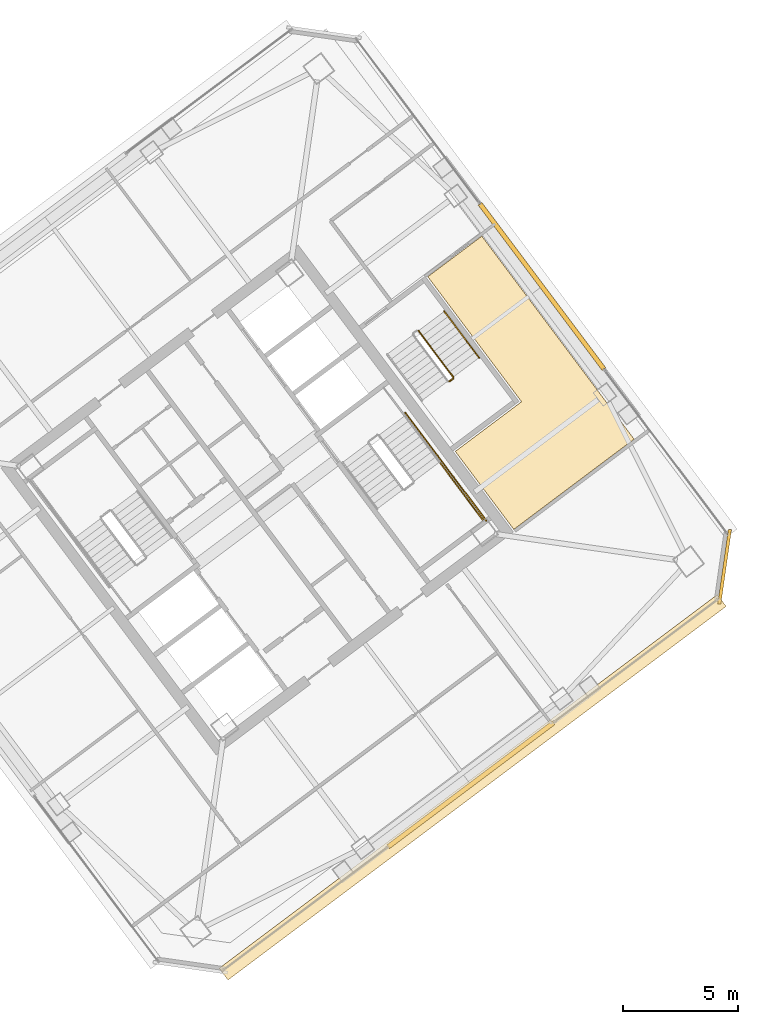
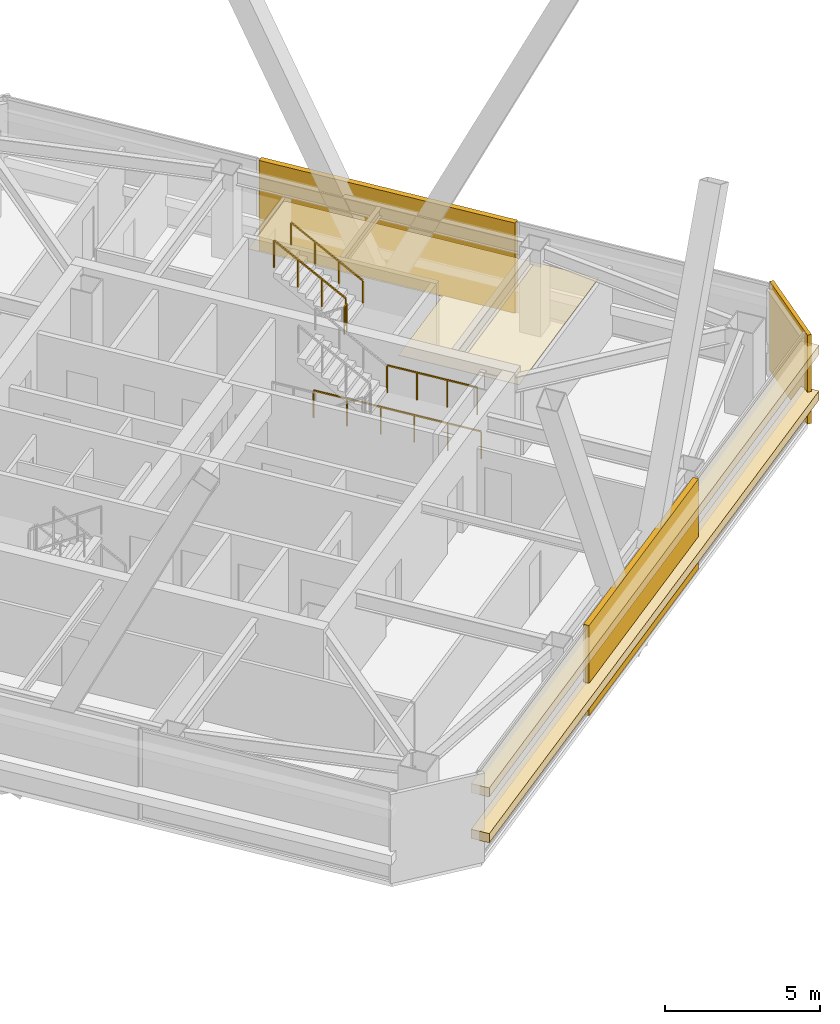
# One storey, part 46 of 47: 6 coverings, 5 railings.
"""IFC4 building model written with IfcOpenShell, lengths in metres."""

from ifc_helpers import new_model, si_unit, direction, frame, origin, origin_2d, place, context, subcontext, project, spatial, polyline, rectangle, outline, extrude, material, layer, layer_set, type_object, element, save


model = new_model("IFC4")

# Units and contexts
model_context = context("Model", 3, precision=1e-05, world=origin(), true_north=direction((0.0, 1.0)))
body_context = subcontext(model_context, "Body", "Model", "MODEL_VIEW")
ifc_project = project(units=[si_unit("LENGTHUNIT", "METRE"), si_unit("AREAUNIT", "SQUARE_METRE"), si_unit("VOLUMEUNIT", "CUBIC_METRE"), si_unit("PLANEANGLEUNIT", "RADIAN"), si_unit("MASSUNIT", "GRAM", prefix="KILO")], contexts=[model_context])

# Site, building, storey
site_placement = place(None, origin())
site = spatial("IfcSite", under=ifc_project, at=site_placement, CompositionType="ELEMENT")
building_placement = place(site_placement, origin())
building = spatial("IfcBuilding", under=site, at=building_placement, Name="Tashvorn Skyway Center", CompositionType="ELEMENT")
storey_placement = place(building_placement, frame((0.0, 0.0, 204.199951171875)))
storey = spatial("IfcBuildingStorey", under=building, at=storey_placement, Name="L55", CompositionType="ELEMENT", Elevation=204.199951171875)

# Coverings
ifc_material_1 = material(Name="Precast concrete C40/50", Category="concrete")
ifc_layer_1 = layer(ifc_material_1, 0.199951171875)
ifc_layer_set_1 = layer_set([ifc_layer_1], Name="Precast concrete C40/50")
covering_type_1 = type_object("IfcCoveringType", Name="COV-BRACE-CLAD", PredefinedType="CLADDING", material=ifc_layer_set_1)
for number, where, z_axis, x_axis, name in (
    (1, (123.2880859375, 19.615966796875, 0.0), (0.0, 0.0, 1.0), (-0.799999996291, -0.600000004945, 0.0), "Tower 2 L55 South Unitised Curtain Wall Mega-Brace Cladding Band 1"),
    (2, (126.384033203125, 41.2880859375, 0.0), (0.0, 0.0, 1.0), (0.600000004945, -0.799999996291, 0.0), "Tower 2 L55 East Unitised Curtain Wall Mega-Brace Cladding Band 1"),
):
    element("IfcCovering", number, at=place(storey_placement, frame(where, z_axis=z_axis, x_axis=x_axis)), inside=storey, type_object=covering_type_1, Name=name, PredefinedType="CLADDING", context=body_context, shape_type="SweptSolid", body=[
        extrude(rectangle(XDim=8.98681640625, YDim=0.199951171875, at=origin_2d()), origin(), (0.0, 0.0, 1.0), 3.550048828125),
    ])
ifc_material_2 = material(Name="Mineral-fibre acoustic ceiling tile on suspended grid")
ifc_layer_2 = layer(ifc_material_2, 0.02001953125)
ifc_layer_set_2 = layer_set([ifc_layer_2], Name="Mineral-fibre acoustic ceiling tile on suspended grid")
covering_type_2 = type_object("IfcCoveringType", Name="COV-CEIL-20", PredefinedType="CEILING", material=ifc_layer_set_2)
covering_1_placement = place(storey_placement, frame((0.0, 0.0, 2.703125)))
element("IfcCovering", 3, at=covering_1_placement, inside=storey, type_object=covering_type_2, Name="Tower 2 L55 Corporate Office Acoustic Ceiling", PredefinedType="CEILING", context=body_context, shape_type="SweptSolid", body=[
    extrude(outline(polyline([(125.159912109375, 30.719970703125), (122.615966796875, 34.112060546875), (125.49609375, 36.27197265625), (121.416015625, 41.7119140625), (123.76806640625, 43.47607421875), (127.847900390625, 38.035888671875), (130.39208984375, 34.64404296875), (125.159912109375, 30.719970703125)])), origin(), (0.0, 0.0, 1.0), 0.02001953125),
])
ifc_material_3 = material(Name="Perforated ceramic-coated bronze aluminium solar screen", Category="aluminium")
ifc_layer_3 = layer(ifc_material_3, 0.85009765625)
ifc_layer_set_3 = layer_set([ifc_layer_3], Name="Perforated ceramic-coated bronze aluminium solar screen")
covering_type_3 = type_object("IfcCoveringType", Name="COV-SOLAR-BAND", PredefinedType="CLADDING", material=ifc_layer_set_3)
for number, where, z_axis, x_axis, name in (
    (4, (123.3720703125, 19.50390625, 0.919921875), (0.0, 0.0, 1.0), (-0.799999996291, -0.600000004945, 0.0), "L55 Perforated Ceramic-Metal Solar Screen Louvre Band South 1"),
    (5, (123.3720703125, 19.50390625, 2.72021484375), (0.0, 0.0, 1.0), (-0.799999996291, -0.600000004945, 0.0), "L55 Perforated Ceramic-Metal Solar Screen Louvre Band South 2"),
):
    element("IfcCovering", number, at=place(storey_placement, frame(where, z_axis=z_axis, x_axis=x_axis)), inside=storey, type_object=covering_type_3, Name=name, PredefinedType="CLADDING", context=body_context, shape_type="SweptSolid", body=[
        extrude(rectangle(XDim=27.080078125, YDim=0.639892578125, at=origin_2d()), origin(), (0.0, 0.0, 1.0), 0.360107421875),
    ])
ifc_layer_4 = layer(ifc_material_1, 0.35009765625)
ifc_layer_set_4 = layer_set([ifc_layer_4], Name="Precast concrete C40/50")
covering_type_4 = type_object("IfcCoveringType", Name="COV-STONE-TRIM", PredefinedType="CLADDING", material=ifc_layer_set_4)
covering_2_placement = place(storey_placement, frame((134.327880859375, 29.095947265625, 0.02001953125), z_axis=(0.0, 0.0, 1.0), x_axis=(0.141421350118, 0.989949494535, 0.0)))
element("IfcCovering", 6, at=covering_2_placement, inside=storey, type_object=covering_type_4, Name="Tower 2 L55 SE Mojave Limestone Corner Quoin", PredefinedType="CLADDING", context=body_context, shape_type="SweptSolid", body=[
    extrude(rectangle(XDim=3.271240234375, YDim=0.139892578125, at=origin_2d()), origin(), (0.0, 0.0, 1.0), 3.510009765625),
])

# Railings
ifc_material_4 = material(Name="Brushed stainless steel 316", Category="steel")
railing_type_1 = type_object("IfcRailingType", Name="RAIL-HAND-920", PredefinedType="HANDRAIL", material=ifc_material_4)
railing_1_placement = place(storey_placement, frame((123.64794921875, 38.18603515625, 1.95263671875)))
element("IfcRailing", 7, at=railing_1_placement, inside=storey, type_object=railing_type_1, Name="L55 ST-T2-3 stair handrail 2", PredefinedType="HANDRAIL", context=body_context, shape_type="SweptSolid", body=[
    extrude(rectangle(XDim=0.048095703125, YDim=0.048095703125, at=origin_2d()), frame((0.0, 0.0, 0.8759765625), z_axis=(-0.506768818287, 0.675664481285, 0.535409071218), x_axis=(-0.79998837352, -0.60001550166, 0.0)), (0.0, 0.0, 1.0), 2.983642578125),
    extrude(rectangle(XDim=0.0419921875, YDim=0.0419921875, at=origin_2d()), origin(), (0.0, 0.0, 1.0), 0.851806640625),
    extrude(rectangle(XDim=0.0419921875, YDim=0.0419921875, at=origin_2d()), frame((-0.50390625, 0.671875, 0.532470703125)), (0.0, 0.0, 1.0), 0.851806640625),
    extrude(rectangle(XDim=0.0419921875, YDim=0.0419921875, at=origin_2d()), frame((-1.008056640625, 1.343994140625, 1.06494140625)), (0.0, 0.0, 1.0), 0.851806640625),
    extrude(rectangle(XDim=0.0419921875, YDim=0.0419921875, at=origin_2d()), frame((-1.511962890625, 2.015869140625, 1.597412109375)), (0.0, 0.0, 1.0), 0.851806640625),
])
ifc_material_5 = material(Name="Painted galvanized steel S355", Category="steel")
railing_type_2 = type_object("IfcRailingType", Name="RAIL-STGUARD-1100", PredefinedType="GUARDRAIL", material=ifc_material_5)
railing_2_placement = place(storey_placement, frame((121.927978515625, 33.64599609375, 1.775146484375)))
element("IfcRailing", 8, at=railing_2_placement, inside=storey, type_object=railing_type_2, Name="L55 ST-T2-2 stair guard 3", PredefinedType="GUARDRAIL", context=body_context, shape_type="SweptSolid", body=[
    extrude(rectangle(XDim=0.048095703125, YDim=0.048095703125, at=origin_2d()), frame((0.0, 0.0, 1.076171875), z_axis=(0.599987638607, -0.800009270896, 0.0), x_axis=(0.800009270896, 0.599987638607, 0.0)), (0.0, 0.0, 1.0), 3.16015625),
    extrude(rectangle(XDim=0.0419921875, YDim=0.0419921875, at=origin_2d()), origin(), (0.0, 0.0, 1.0), 1.052001953125),
    extrude(rectangle(XDim=0.0419921875, YDim=0.0419921875, at=origin_2d()), frame((0.632080078125, -0.8427734375, 0.0)), (0.0, 0.0, 1.0), 1.052001953125),
    extrude(rectangle(XDim=0.0419921875, YDim=0.0419921875, at=origin_2d()), frame((1.263916015625, -1.685302734375, 0.0)), (0.0, 0.0, 1.0), 1.052001953125),
    extrude(rectangle(XDim=0.0419921875, YDim=0.0419921875, at=origin_2d()), frame((1.89599609375, -2.528076171875, 0.0)), (0.0, 0.0, 1.0), 1.052001953125),
])
railing_3_placement = place(storey_placement, frame((120.43603515625, 35.802001953125, 0.0)))
element("IfcRailing", 9, at=railing_3_placement, inside=storey, type_object=railing_type_2, Name="L55 ST-T2-2 stair guard 7", PredefinedType="GUARDRAIL", context=body_context, shape_type="SweptSolid", body=[
    extrude(rectangle(XDim=0.048095703125, YDim=0.048095703125, at=origin_2d()), frame((0.0, 0.0, 1.076171875), z_axis=(0.6, -0.8, 0.0), x_axis=(0.8, 0.6, 0.0)), (0.0, 0.0, 1.0), 5.880126953125),
    extrude(rectangle(XDim=0.0419921875, YDim=0.0419921875, at=origin_2d()), origin(), (0.0, 0.0, 1.0), 1.052001953125),
    extrude(rectangle(XDim=0.0419921875, YDim=0.0419921875, at=origin_2d()), frame((0.70556640625, -0.94091796875, 0.0)), (0.0, 0.0, 1.0), 1.052001953125),
    extrude(rectangle(XDim=0.0419921875, YDim=0.0419921875, at=origin_2d()), frame((1.4111328125, -1.881591796875, 0.0)), (0.0, 0.0, 1.0), 1.052001953125),
    extrude(rectangle(XDim=0.0419921875, YDim=0.0419921875, at=origin_2d()), frame((2.116943359375, -2.822509765625, 0.0)), (0.0, 0.0, 1.0), 1.052001953125),
    extrude(rectangle(XDim=0.0419921875, YDim=0.0419921875, at=origin_2d()), frame((2.822509765625, -3.76318359375, 0.0)), (0.0, 0.0, 1.0), 1.052001953125),
    extrude(rectangle(XDim=0.0419921875, YDim=0.0419921875, at=origin_2d()), frame((3.528076171875, -4.7041015625, 0.0)), (0.0, 0.0, 1.0), 1.052001953125),
])
railing_4_placement = place(storey_placement, frame((122.35791015625, 37.156005859375, 1.775146484375)))
element("IfcRailing", 10, at=railing_4_placement, inside=storey, type_object=railing_type_2, Name="L55 ST-T2-3 stair guard 2", PredefinedType="GUARDRAIL", context=body_context, shape_type="SweptSolid", body=[
    extrude(rectangle(XDim=0.048095703125, YDim=0.048095703125, at=origin_2d()), frame((0.0, 0.0, 1.076171875), z_axis=(0.800585412921, 0.599218655098, 0.0), x_axis=(-0.599218655098, 0.800585412921, 0.0)), (0.0, 0.0, 1.0), 0.199951171875),
    extrude(rectangle(XDim=0.0419921875, YDim=0.0419921875, at=origin_2d()), origin(), (0.0, 0.0, 1.0), 1.052001953125),
    extrude(rectangle(XDim=0.0419921875, YDim=0.0419921875, at=origin_2d()), frame((0.16015625, 0.119873046875, 0.0)), (0.0, 0.0, 1.0), 1.052001953125),
])
railing_5_placement = place(storey_placement, frame((122.528076171875, 37.345947265625, 1.95263671875)))
element("IfcRailing", 11, at=railing_5_placement, inside=storey, type_object=railing_type_2, Name="L55 ST-T2-3 stair guard 3", PredefinedType="GUARDRAIL", context=body_context, shape_type="SweptSolid", body=[
    extrude(rectangle(XDim=0.048095703125, YDim=0.048095703125, at=origin_2d()), frame((0.0, 0.0, 1.076171875), z_axis=(-0.506740800098, 0.675708949977, 0.535379469569), x_axis=(-0.800023250257, -0.599968998406, 0.0)), (0.0, 0.0, 1.0), 2.983642578125),
    extrude(rectangle(XDim=0.0419921875, YDim=0.0419921875, at=origin_2d()), origin(), (0.0, 0.0, 1.0), 1.052001953125),
    extrude(rectangle(XDim=0.0419921875, YDim=0.0419921875, at=origin_2d()), frame((-0.50390625, 0.672119140625, 0.532470703125)), (0.0, 0.0, 1.0), 1.052001953125),
    extrude(rectangle(XDim=0.0419921875, YDim=0.0419921875, at=origin_2d()), frame((-1.008056640625, 1.343994140625, 1.06494140625)), (0.0, 0.0, 1.0), 1.052001953125),
    extrude(rectangle(XDim=0.0419921875, YDim=0.0419921875, at=origin_2d()), frame((-1.511962890625, 2.01611328125, 1.597412109375)), (0.0, 0.0, 1.0), 1.052001953125),
])

save(model, "model.ifc")
